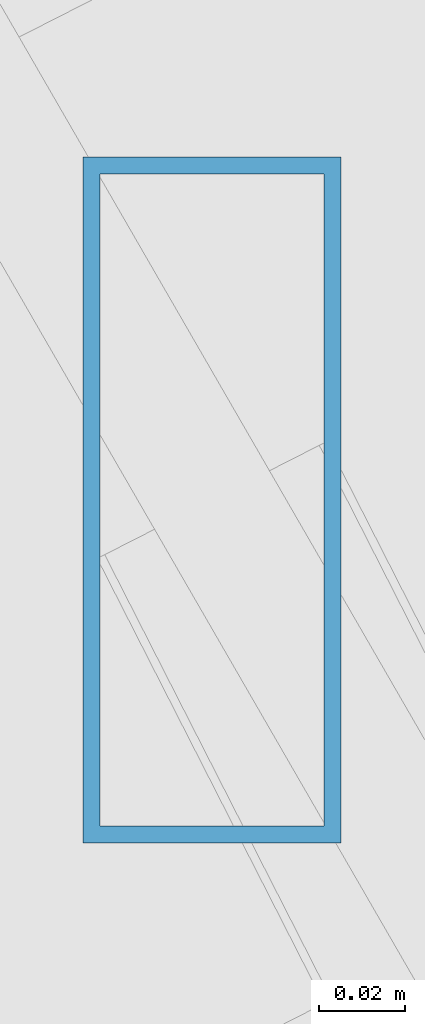
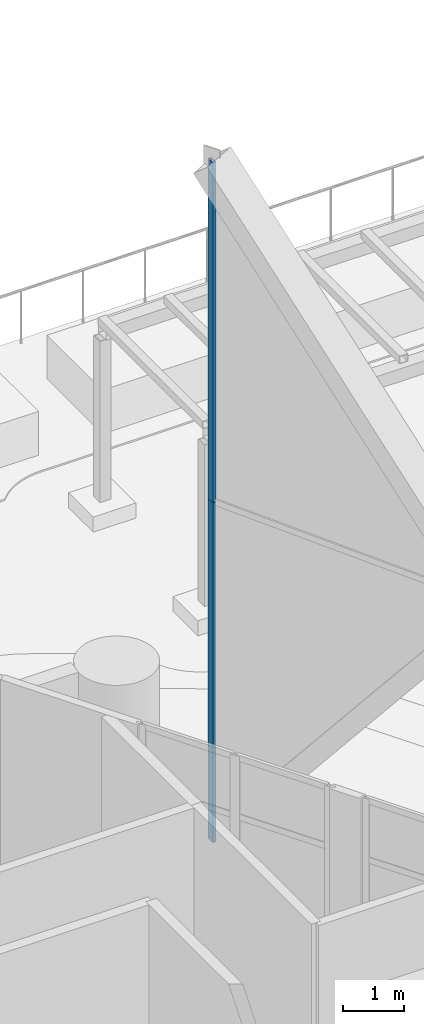
# One storey, part 48 of 71: 2 members, 1 element without a shape of its own.
"""IFC4 building model written with IfcOpenShell, lengths in metres."""

from ifc_helpers import new_model, si_unit, direction, frame, origin, origin_2d, place, context, subcontext, project, spatial, hollow_rectangle, extrude, material, material_profile, profile_set, type_object, element, aggregate, save


model = new_model("IFC4")

# Units and contexts
model_context = context("Model", 3, precision=1e-05, world=origin(), true_north=direction((0.0, 1.0)))
body_context = subcontext(model_context, "Body", "Model", "MODEL_VIEW")
ifc_project = project(units=[si_unit("LENGTHUNIT", "METRE"), si_unit("AREAUNIT", "SQUARE_METRE"), si_unit("VOLUMEUNIT", "CUBIC_METRE"), si_unit("PLANEANGLEUNIT", "RADIAN"), si_unit("MASSUNIT", "GRAM", prefix="KILO")], contexts=[model_context])

# Site, building, storey
site_placement = place(None, origin())
site = spatial("IfcSite", under=ifc_project, at=site_placement, CompositionType="ELEMENT")
building_placement = place(site_placement, origin())
building = spatial("IfcBuilding", under=site, at=building_placement, Name="Ostrander Bayou Hotel Tower", CompositionType="ELEMENT")
storey_placement = place(building_placement, frame((0.0, 0.0, 10.0)))
storey = spatial("IfcBuildingStorey", under=building, at=storey_placement, Name="L02", CompositionType="ELEMENT", Elevation=10.0)

# Curtain wall, members
ifc_material_1 = material(Name="Aluminium and clear glass", Category="aluminium")
curtain_wall_type = type_object("IfcCurtainWallType", Name="CW-LAT lattice glazing", PredefinedType="NOTDEFINED", material=ifc_material_1)
curtain_wall_placement = place(storey_placement, origin())
curtain_wall = element("IfcCurtainWall", 1, at=curtain_wall_placement, inside=storey, type_object=curtain_wall_type, Name="CW-LAT L02 NE 1", PredefinedType="NOTDEFINED")
ifc_material_2 = material(Name="Aluminium", Category="aluminium")
ifc_material_profile = material_profile(ifc_material_2, hollow_rectangle(XDim=0.06005859375, YDim=0.159912109375, WallThickness=0.00390625, at=origin_2d()))
ifc_profile_set = profile_set([ifc_material_profile], Name="Aluminium")
member_type = type_object("IfcMemberType", Name="CW-LA mullion 60 x 160 mm", PredefinedType="MULLION", material=ifc_profile_set)
member_1_placement = place(storey_placement, frame((13.637939453125, 20.5185546875, -0.60009765625), z_axis=(0.0, 0.0, 1.0), x_axis=(1.0, 0.0, 0.0)))
member_1 = element("IfcMember", 2, at=member_1_placement, type_object=member_type, Name="CW-LAT mullion 8", PredefinedType="MULLION", context=body_context, shape_type="SweptSolid", body=[
    extrude(hollow_rectangle(XDim=0.06005859375, YDim=0.159912109375, WallThickness=0.00390625, at=origin_2d()), origin(), (0.0, 0.0, 1.0), 6.75),
])
member_2_placement = place(storey_placement, frame((13.637939453125, 20.5185546875, 6.14990234375), z_axis=(0.0, 0.0, 1.0), x_axis=(1.0, 0.0, 0.0)))
member_2 = element("IfcMember", 3, at=member_2_placement, type_object=member_type, Name="CW-LAT mullion 9", PredefinedType="MULLION", context=body_context, shape_type="SweptSolid", body=[
    extrude(hollow_rectangle(XDim=0.06005859375, YDim=0.159912109375, WallThickness=0.00390625, at=origin_2d()), origin(), (0.0, 0.0, 1.0), 6.75),
])
aggregate(curtain_wall, [member_1, member_2])

save(model, "model.ifc")
